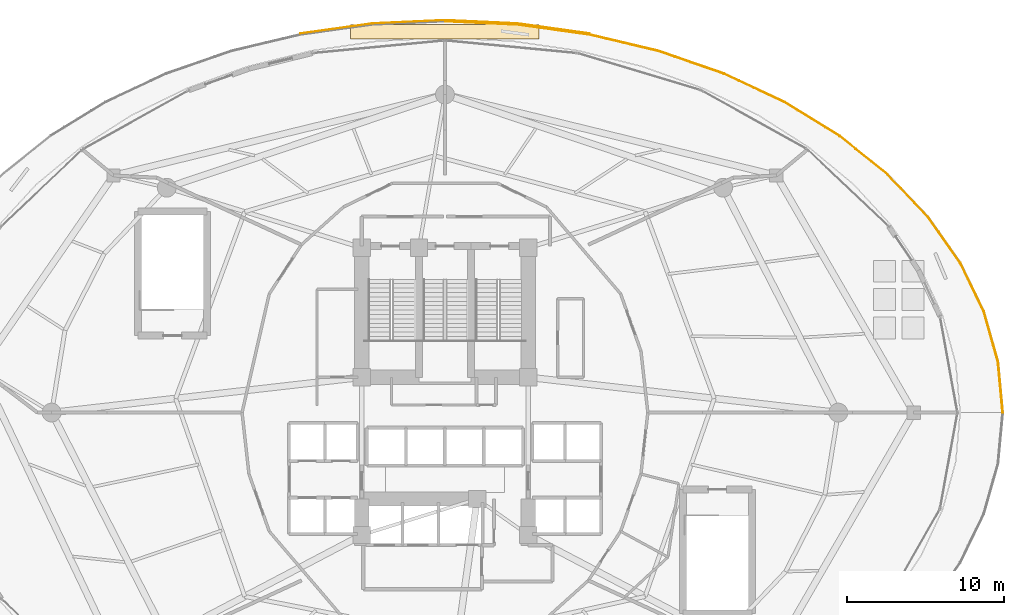
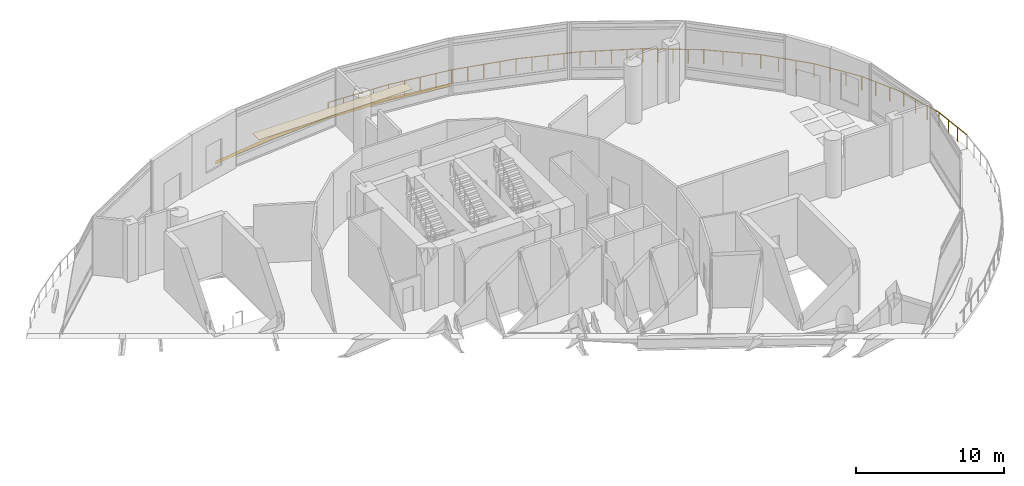
# One storey, part 34 of 34: 2 coverings, 2 railings.
"""IFC4 building model written with IfcOpenShell, lengths in metres."""

from ifc_helpers import new_model, si_unit, direction, frame, origin, place, context, subcontext, project, spatial, polyline, outline, extrude, material, layer, layer_set, type_object, element, save


model = new_model("IFC4")

# Units and contexts
model_context = context("Model", 3, precision=1e-05, world=origin(), true_north=direction((0.0, 1.0)))
body_context = subcontext(model_context, "Body", "Model", "MODEL_VIEW")
ifc_project = project(units=[si_unit("LENGTHUNIT", "METRE"), si_unit("AREAUNIT", "SQUARE_METRE"), si_unit("VOLUMEUNIT", "CUBIC_METRE"), si_unit("PLANEANGLEUNIT", "RADIAN"), si_unit("MASSUNIT", "GRAM", prefix="KILO")], contexts=[model_context])

# Site, building, storey
site_placement = place(None, origin())
site = spatial("IfcSite", under=ifc_project, at=site_placement, CompositionType="ELEMENT")
building_placement = place(site_placement, origin())
building = spatial("IfcBuilding", under=site, at=building_placement, Name="Nuhasar Tower", CompositionType="ELEMENT")
storey_placement = place(building_placement, frame((0.0, 0.0, 16.0)))
storey = spatial("IfcBuildingStorey", under=building, at=storey_placement, Name="L03", CompositionType="ELEMENT", Elevation=16.0)

# Coverings
ifc_material_1 = material(Name="Aluminium 6063-T6", Category="aluminium")
ifc_layer_1 = layer(ifc_material_1, 0.014892578125)
ifc_layer_set_1 = layer_set([ifc_layer_1], Name="Aluminium 6063-T6")
covering_type_1 = type_object("IfcCoveringType", Name="COV-CLD-BRZ15", PredefinedType="CLADDING", material=ifc_layer_set_1)
covering_1_placement = place(storey_placement, frame((0.0, 0.0, -0.280029296875)))
element("IfcCovering", 1, at=covering_1_placement, inside=storey, type_object=covering_type_1, Name="L03 Bustan Terrace Bronze Fascia Cladding North", PredefinedType="CLADDING", context=body_context, shape_type="SweptSolid", body=[
    extrude(outline(polyline([(48.214111328125, 50.947998046875), (43.64697265625, 51.5859375), (39.0, 51.800048828125), (34.35302734375, 51.5859375), (29.785888671875, 50.947998046875), (29.7900390625, 50.93408203125), (34.35498046875, 51.571044921875), (39.0, 51.784912109375), (43.64501953125, 51.571044921875), (48.2099609375, 50.93408203125), (48.214111328125, 50.947998046875)])), origin(), (0.0, 0.0, 1.0), 0.280029296875),
])
ifc_material_2 = material(Name="EPDM Membrane", Category="bitumen")
ifc_layer_2 = layer(ifc_material_2, 0.030029296875)
ifc_layer_set_2 = layer_set([ifc_layer_2], Name="EPDM Membrane")
covering_type_2 = type_object("IfcCoveringType", Name="COV-ROOF-MEM30", PredefinedType="ROOFING", material=ifc_layer_set_2)
covering_2_placement = place(storey_placement, frame((0.0, 0.0, 0.800048828125)))
element("IfcCovering", 2, at=covering_2_placement, inside=storey, type_object=covering_type_2, Name="L03 Waterproofing Roof Membrane Strip 03", PredefinedType="ROOFING", context=body_context, shape_type="SweptSolid", body=[
    extrude(outline(polyline([(33.0, 50.60009765625), (45.0, 50.60009765625), (45.0, 51.5), (33.0, 51.5), (33.0, 50.60009765625)])), origin(), (0.0, 0.0, 1.0), 0.030029296875),
])

# Railings
ifc_material_3 = material(Name="Steel S355", Category="steel")
railing_type = type_object("IfcRailingType", Name="RLG-TERR-1150", PredefinedType="BALUSTRADE", material=ifc_material_3)
railing_1_placement = place(storey_placement, frame((74.52001953125, 26.800048828125, 0.0)))
element("IfcRailing", 3, at=railing_1_placement, inside=storey, type_object=railing_type, Name="L03 Bustan Terrace Perimeter Balustrade 01", PredefinedType="BALUSTRADE", context=body_context, shape_type="SweptSolid", body=[
    extrude(outline(polyline([(0.024169921875, 0.0), (0.01708984375, 0.01708984375), (0.0, 0.024169921875), (-0.01708984375, 0.01708984375), (-0.024169921875, 0.0), (-0.01708984375, -0.01708984375), (0.0, -0.024169921875), (0.01708984375, -0.01708984375), (0.024169921875, 0.0)])), frame((0.0, 0.0, 1.1259765625), z_axis=(-0.093035140952, 0.995662825734, 0.0), x_axis=(-0.995662825734, -0.093035140952, 0.0)), (0.0, 0.0, 1.0), 3.26708984375),
    extrude(outline(polyline([(0.024169921875, 0.0), (0.01708984375, 0.01708984375), (0.0, 0.024169921875), (-0.01708984375, 0.01708984375), (-0.024169921875, 0.0), (-0.01708984375, -0.01708984375), (0.0, -0.024169921875), (0.01708984375, -0.01708984375), (0.024169921875, 0.0)])), frame((-0.303955078125, 3.2529296875, 1.1259765625), z_axis=(-0.272653580986, 0.962112272438, 0.0), x_axis=(-0.962112272438, -0.272653580986, 0.0)), (0.0, 0.0, 1.0), 3.322998046875),
    extrude(outline(polyline([(0.024169921875, 0.0), (0.01708984375, 0.01708984375), (0.0, 0.024169921875), (-0.01708984375, 0.01708984375), (-0.024169921875, 0.0), (-0.01708984375, -0.01708984375), (0.0, -0.024169921875), (0.01708984375, -0.01708984375), (0.024169921875, 0.0)])), frame((-1.2099609375, 6.449951171875, 1.1259765625), z_axis=(-0.435784260795, 0.900051153015, 0.0), x_axis=(-0.900051153015, -0.435784260795, 0.0)), (0.0, 0.0, 1.0), 3.4287109375),
    extrude(outline(polyline([(0.024169921875, 0.0), (0.01708984375, 0.01708984375), (0.0, 0.024169921875), (-0.01708984375, 0.01708984375), (-0.024169921875, 0.0), (-0.01708984375, -0.01708984375), (0.0, -0.024169921875), (0.01708984375, -0.01708984375), (0.024169921875, 0.0)])), frame((-2.7041015625, 9.535888671875, 1.1259765625), z_axis=(-0.574978887045, 0.818168246422, 0.0), x_axis=(-0.818168246422, -0.574978887045, 0.0)), (0.0, 0.0, 1.0), 3.573974609375),
    extrude(outline(polyline([(0.024169921875, 0.0), (0.01708984375, 0.01708984375), (0.0, 0.024169921875), (-0.01708984375, 0.01708984375), (-0.024169921875, 0.0), (-0.01708984375, -0.01708984375), (0.0, -0.024169921875), (0.01708984375, -0.01708984375), (0.024169921875, 0.0)])), frame((-4.759033203125, 12.4599609375, 1.1259765625), z_axis=(-0.689674719684, 0.724119314084, 0.0), x_axis=(-0.724119314084, -0.689674719684, 0.0)), (0.0, 0.0, 1.0), 3.742431640625),
    extrude(outline(polyline([(0.024169921875, 0.0), (0.01708984375, 0.01708984375), (0.0, 0.024169921875), (-0.01708984375, 0.01708984375), (-0.024169921875, 0.0), (-0.01708984375, -0.01708984375), (0.0, -0.024169921875), (0.01708984375, -0.01708984375), (0.024169921875, 0.0)])), frame((-7.340087890625, 15.169921875, 1.1259765625), z_axis=(-0.780911736487, 0.624641384969, 0.0), x_axis=(-0.624641384969, -0.780911736487, 0.0)), (0.0, 0.0, 1.0), 3.8837890625),
    extrude(outline(polyline([(0.02099609375, 0.0), (0.014892578125, 0.014892578125), (0.0, 0.02099609375), (-0.014892578125, 0.014892578125), (-0.02099609375, 0.0), (-0.014892578125, -0.014892578125), (0.0, -0.02099609375), (0.014892578125, -0.014892578125), (0.02099609375, 0.0)])), origin(), (0.0, 0.0, 1.0), 1.101806640625),
    extrude(outline(polyline([(0.02099609375, 0.0), (0.014892578125, 0.014892578125), (0.0, 0.02099609375), (-0.014892578125, 0.014892578125), (-0.02099609375, 0.0), (-0.014892578125, -0.014892578125), (0.0, -0.02099609375), (0.014892578125, -0.014892578125), (0.02099609375, 0.0)])), frame((-0.101318359375, 1.084228515625, 0.0)), (0.0, 0.0, 1.0), 1.101806640625),
    extrude(outline(polyline([(0.02099609375, 0.0), (0.014892578125, 0.014892578125), (0.0, 0.02099609375), (-0.014892578125, 0.014892578125), (-0.02099609375, 0.0), (-0.014892578125, -0.014892578125), (0.0, -0.02099609375), (0.014892578125, -0.014892578125), (0.02099609375, 0.0)])), frame((-0.20263671875, 2.168701171875, 0.0)), (0.0, 0.0, 1.0), 1.101806640625),
    extrude(outline(polyline([(0.02099609375, 0.0), (0.014892578125, 0.014892578125), (0.0, 0.02099609375), (-0.014892578125, 0.014892578125), (-0.02099609375, 0.0), (-0.014892578125, -0.014892578125), (0.0, -0.02099609375), (0.014892578125, -0.014892578125), (0.02099609375, 0.0)])), frame((-0.303955078125, 3.2529296875, 0.0)), (0.0, 0.0, 1.0), 1.101806640625),
    extrude(outline(polyline([(0.02099609375, 0.0), (0.014892578125, 0.014892578125), (0.0, 0.02099609375), (-0.014892578125, 0.014892578125), (-0.02099609375, 0.0), (-0.014892578125, -0.014892578125), (0.0, -0.02099609375), (0.014892578125, -0.014892578125), (0.02099609375, 0.0)])), frame((-0.60595703125, 4.318603515625, 0.0)), (0.0, 0.0, 1.0), 1.101806640625),
    extrude(outline(polyline([(0.02099609375, 0.0), (0.014892578125, 0.014892578125), (0.0, 0.02099609375), (-0.014892578125, 0.014892578125), (-0.02099609375, 0.0), (-0.014892578125, -0.014892578125), (0.0, -0.02099609375), (0.014892578125, -0.014892578125), (0.02099609375, 0.0)])), frame((-0.907958984375, 5.38427734375, 0.0)), (0.0, 0.0, 1.0), 1.101806640625),
    extrude(outline(polyline([(0.02099609375, 0.0), (0.014892578125, 0.014892578125), (0.0, 0.02099609375), (-0.014892578125, 0.014892578125), (-0.02099609375, 0.0), (-0.014892578125, -0.014892578125), (0.0, -0.02099609375), (0.014892578125, -0.014892578125), (0.02099609375, 0.0)])), frame((-1.2099609375, 6.449951171875, 0.0)), (0.0, 0.0, 1.0), 1.101806640625),
    extrude(outline(polyline([(0.02099609375, 0.0), (0.014892578125, 0.014892578125), (0.0, 0.02099609375), (-0.014892578125, 0.014892578125), (-0.02099609375, 0.0), (-0.014892578125, -0.014892578125), (0.0, -0.02099609375), (0.014892578125, -0.014892578125), (0.02099609375, 0.0)])), frame((-1.7080078125, 7.478515625, 0.0)), (0.0, 0.0, 1.0), 1.101806640625),
    extrude(outline(polyline([(0.02099609375, 0.0), (0.014892578125, 0.014892578125), (0.0, 0.02099609375), (-0.014892578125, 0.014892578125), (-0.02099609375, 0.0), (-0.014892578125, -0.014892578125), (0.0, -0.02099609375), (0.014892578125, -0.014892578125), (0.02099609375, 0.0)])), frame((-2.2060546875, 8.50732421875, 0.0)), (0.0, 0.0, 1.0), 1.101806640625),
    extrude(outline(polyline([(0.02099609375, 0.0), (0.014892578125, 0.014892578125), (0.0, 0.02099609375), (-0.014892578125, 0.014892578125), (-0.02099609375, 0.0), (-0.014892578125, -0.014892578125), (0.0, -0.02099609375), (0.014892578125, -0.014892578125), (0.02099609375, 0.0)])), frame((-2.7041015625, 9.535888671875, 0.0)), (0.0, 0.0, 1.0), 1.101806640625),
    extrude(outline(polyline([(0.02099609375, 0.0), (0.014892578125, 0.014892578125), (0.0, 0.02099609375), (-0.014892578125, 0.014892578125), (-0.02099609375, 0.0), (-0.014892578125, -0.014892578125), (0.0, -0.02099609375), (0.014892578125, -0.014892578125), (0.02099609375, 0.0)])), frame((-3.38916015625, 10.510498046875, 0.0)), (0.0, 0.0, 1.0), 1.101806640625),
    extrude(outline(polyline([(0.02099609375, 0.0), (0.014892578125, 0.014892578125), (0.0, 0.02099609375), (-0.014892578125, 0.014892578125), (-0.02099609375, 0.0), (-0.014892578125, -0.014892578125), (0.0, -0.02099609375), (0.014892578125, -0.014892578125), (0.02099609375, 0.0)])), frame((-4.073974609375, 11.4853515625, 0.0)), (0.0, 0.0, 1.0), 1.101806640625),
    extrude(outline(polyline([(0.02099609375, 0.0), (0.014892578125, 0.014892578125), (0.0, 0.02099609375), (-0.014892578125, 0.014892578125), (-0.02099609375, 0.0), (-0.014892578125, -0.014892578125), (0.0, -0.02099609375), (0.014892578125, -0.014892578125), (0.02099609375, 0.0)])), frame((-4.759033203125, 12.4599609375, 0.0)), (0.0, 0.0, 1.0), 1.101806640625),
    extrude(outline(polyline([(0.02099609375, 0.0), (0.014892578125, 0.014892578125), (0.0, 0.02099609375), (-0.014892578125, 0.014892578125), (-0.02099609375, 0.0), (-0.014892578125, -0.014892578125), (0.0, -0.02099609375), (0.014892578125, -0.014892578125), (0.02099609375, 0.0)])), frame((-5.619384765625, 13.36328125, 0.0)), (0.0, 0.0, 1.0), 1.101806640625),
    extrude(outline(polyline([(0.02099609375, 0.0), (0.014892578125, 0.014892578125), (0.0, 0.02099609375), (-0.014892578125, 0.014892578125), (-0.02099609375, 0.0), (-0.014892578125, -0.014892578125), (0.0, -0.02099609375), (0.014892578125, -0.014892578125), (0.02099609375, 0.0)])), frame((-6.479736328125, 14.2666015625, 0.0)), (0.0, 0.0, 1.0), 1.101806640625),
    extrude(outline(polyline([(0.02099609375, 0.0), (0.014892578125, 0.014892578125), (0.0, 0.02099609375), (-0.014892578125, 0.014892578125), (-0.02099609375, 0.0), (-0.014892578125, -0.014892578125), (0.0, -0.02099609375), (0.014892578125, -0.014892578125), (0.02099609375, 0.0)])), frame((-7.340087890625, 15.169921875, 0.0)), (0.0, 0.0, 1.0), 1.101806640625),
    extrude(outline(polyline([(0.02099609375, 0.0), (0.014892578125, 0.014892578125), (0.0, 0.02099609375), (-0.014892578125, 0.014892578125), (-0.02099609375, 0.0), (-0.014892578125, -0.014892578125), (0.0, -0.02099609375), (0.014892578125, -0.014892578125), (0.02099609375, 0.0)])), frame((-8.35107421875, 15.978515625, 0.0)), (0.0, 0.0, 1.0), 1.101806640625),
    extrude(outline(polyline([(0.02099609375, 0.0), (0.014892578125, 0.014892578125), (0.0, 0.02099609375), (-0.014892578125, 0.014892578125), (-0.02099609375, 0.0), (-0.014892578125, -0.014892578125), (0.0, -0.02099609375), (0.014892578125, -0.014892578125), (0.02099609375, 0.0)])), frame((-9.362060546875, 16.787353515625, 0.0)), (0.0, 0.0, 1.0), 1.101806640625),
    extrude(outline(polyline([(0.02099609375, 0.0), (0.014892578125, 0.014892578125), (0.0, 0.02099609375), (-0.014892578125, 0.014892578125), (-0.02099609375, 0.0), (-0.014892578125, -0.014892578125), (0.0, -0.02099609375), (0.014892578125, -0.014892578125), (0.02099609375, 0.0)])), frame((-10.373046875, 17.595947265625, 0.0)), (0.0, 0.0, 1.0), 1.101806640625),
])
railing_2_placement = place(storey_placement, frame((64.115966796875, 44.4208984375, 0.0)))
element("IfcRailing", 4, at=railing_2_placement, inside=storey, type_object=railing_type, Name="L03 Bustan Terrace Perimeter Balustrade 02", PredefinedType="BALUSTRADE", context=body_context, shape_type="SweptSolid", body=[
    extrude(outline(polyline([(0.024169921875, 0.0), (0.01708984375, 0.01708984375), (0.0, 0.024169921875), (-0.01708984375, 0.01708984375), (-0.024169921875, 0.0), (-0.01708984375, -0.01708984375), (0.0, -0.024169921875), (0.01708984375, -0.01708984375), (0.024169921875, 0.0)])), frame((0.0, 0.0, 1.1259765625), z_axis=(-0.851693061849, 0.524040960611, 0.0), x_axis=(-0.524040960611, -0.851693061849, 0.0)), (0.0, 0.0, 1.0), 4.10107421875),
    extrude(outline(polyline([(0.024169921875, 0.0), (0.01708984375, 0.01708984375), (0.0, 0.024169921875), (-0.01708984375, 0.01708984375), (-0.024169921875, 0.0), (-0.01708984375, -0.01708984375), (0.0, -0.024169921875), (0.01708984375, -0.01708984375), (0.024169921875, 0.0)])), frame((-3.492919921875, 2.149169921875, 1.1259765625), z_axis=(-0.905437630864, 0.424479324132, 0.0), x_axis=(-0.424479324132, -0.905437630864, 0.0)), (0.0, 0.0, 1.0), 4.2666015625),
    extrude(outline(polyline([(0.024169921875, 0.0), (0.01708984375, 0.01708984375), (0.0, 0.024169921875), (-0.01708984375, 0.01708984375), (-0.024169921875, 0.0), (-0.01708984375, -0.01708984375), (0.0, -0.024169921875), (0.01708984375, -0.01708984375), (0.024169921875, 0.0)])), frame((-7.35595703125, 3.960205078125, 1.1259765625), z_axis=(-0.945022930753, 0.327004067789, 0.0), x_axis=(-0.327004067789, -0.945022930753, 0.0)), (0.0, 0.0, 1.0), 4.409423828125),
    extrude(outline(polyline([(0.024169921875, 0.0), (0.01708984375, 0.01708984375), (0.0, 0.024169921875), (-0.01708984375, 0.01708984375), (-0.024169921875, 0.0), (-0.01708984375, -0.01708984375), (0.0, -0.024169921875), (0.01708984375, -0.01708984375), (0.024169921875, 0.0)])), frame((-11.52294921875, 5.402099609375, 1.1259765625), z_axis=(-0.972781305311, 0.231725121723, 0.0), x_axis=(-0.231725121723, -0.972781305311, 0.0)), (0.0, 0.0, 1.0), 4.52294921875),
    extrude(outline(polyline([(0.024169921875, 0.0), (0.01708984375, 0.01708984375), (0.0, 0.024169921875), (-0.01708984375, 0.01708984375), (-0.024169921875, 0.0), (-0.01708984375, -0.01708984375), (0.0, -0.024169921875), (0.01708984375, -0.01708984375), (0.024169921875, 0.0)])), frame((-15.9228515625, 6.4501953125, 1.1259765625), z_axis=(-0.990401686218, 0.138219028854, 0.0), x_axis=(-0.138219028854, -0.990401686218, 0.0)), (0.0, 0.0, 1.0), 4.601318359375),
    extrude(outline(polyline([(0.024169921875, 0.0), (0.01708984375, 0.01708984375), (0.0, 0.024169921875), (-0.01708984375, 0.01708984375), (-0.024169921875, 0.0), (-0.01708984375, -0.01708984375), (0.0, -0.024169921875), (0.01708984375, -0.01708984375), (0.024169921875, 0.0)])), frame((-20.47998046875, 7.086181640625, 1.1259765625), z_axis=(-0.998948420633, 0.04584815062, 0.0), x_axis=(-0.04584815062, -0.998948420633, 0.0)), (0.0, 0.0, 1.0), 4.600830078125),
    extrude(outline(polyline([(0.02099609375, 0.0), (0.014892578125, 0.014892578125), (0.0, 0.02099609375), (-0.014892578125, 0.014892578125), (-0.02099609375, 0.0), (-0.014892578125, -0.014892578125), (0.0, -0.02099609375), (0.014892578125, -0.014892578125), (0.02099609375, 0.0)])), origin(), (0.0, 0.0, 1.0), 1.101806640625),
    extrude(outline(polyline([(0.02099609375, 0.0), (0.014892578125, 0.014892578125), (0.0, 0.02099609375), (-0.014892578125, 0.014892578125), (-0.02099609375, 0.0), (-0.014892578125, -0.014892578125), (0.0, -0.02099609375), (0.014892578125, -0.014892578125), (0.02099609375, 0.0)])), frame((-0.873291015625, 0.537353515625, 0.0)), (0.0, 0.0, 1.0), 1.101806640625),
    extrude(outline(polyline([(0.02099609375, 0.0), (0.014892578125, 0.014892578125), (0.0, 0.02099609375), (-0.014892578125, 0.014892578125), (-0.02099609375, 0.0), (-0.014892578125, -0.014892578125), (0.0, -0.02099609375), (0.014892578125, -0.014892578125), (0.02099609375, 0.0)])), frame((-1.74658203125, 1.07470703125, 0.0)), (0.0, 0.0, 1.0), 1.101806640625),
    extrude(outline(polyline([(0.02099609375, 0.0), (0.014892578125, 0.014892578125), (0.0, 0.02099609375), (-0.014892578125, 0.014892578125), (-0.02099609375, 0.0), (-0.014892578125, -0.014892578125), (0.0, -0.02099609375), (0.014892578125, -0.014892578125), (0.02099609375, 0.0)])), frame((-2.61962890625, 1.61181640625, 0.0)), (0.0, 0.0, 1.0), 1.101806640625),
    extrude(outline(polyline([(0.02099609375, 0.0), (0.014892578125, 0.014892578125), (0.0, 0.02099609375), (-0.014892578125, 0.014892578125), (-0.02099609375, 0.0), (-0.014892578125, -0.014892578125), (0.0, -0.02099609375), (0.014892578125, -0.014892578125), (0.02099609375, 0.0)])), frame((-3.492919921875, 2.149169921875, 0.0)), (0.0, 0.0, 1.0), 1.101806640625),
    extrude(outline(polyline([(0.02099609375, 0.0), (0.014892578125, 0.014892578125), (0.0, 0.02099609375), (-0.014892578125, 0.014892578125), (-0.02099609375, 0.0), (-0.014892578125, -0.014892578125), (0.0, -0.02099609375), (0.014892578125, -0.014892578125), (0.02099609375, 0.0)])), frame((-4.458740234375, 2.60205078125, 0.0)), (0.0, 0.0, 1.0), 1.101806640625),
    extrude(outline(polyline([(0.02099609375, 0.0), (0.014892578125, 0.014892578125), (0.0, 0.02099609375), (-0.014892578125, 0.014892578125), (-0.02099609375, 0.0), (-0.014892578125, -0.014892578125), (0.0, -0.02099609375), (0.014892578125, -0.014892578125), (0.02099609375, 0.0)])), frame((-5.42431640625, 3.0546875, 0.0)), (0.0, 0.0, 1.0), 1.101806640625),
    extrude(outline(polyline([(0.02099609375, 0.0), (0.014892578125, 0.014892578125), (0.0, 0.02099609375), (-0.014892578125, 0.014892578125), (-0.02099609375, 0.0), (-0.014892578125, -0.014892578125), (0.0, -0.02099609375), (0.014892578125, -0.014892578125), (0.02099609375, 0.0)])), frame((-6.39013671875, 3.50732421875, 0.0)), (0.0, 0.0, 1.0), 1.101806640625),
    extrude(outline(polyline([(0.02099609375, 0.0), (0.014892578125, 0.014892578125), (0.0, 0.02099609375), (-0.014892578125, 0.014892578125), (-0.02099609375, 0.0), (-0.014892578125, -0.014892578125), (0.0, -0.02099609375), (0.014892578125, -0.014892578125), (0.02099609375, 0.0)])), frame((-7.35595703125, 3.960205078125, 0.0)), (0.0, 0.0, 1.0), 1.101806640625),
    extrude(outline(polyline([(0.02099609375, 0.0), (0.014892578125, 0.014892578125), (0.0, 0.02099609375), (-0.014892578125, 0.014892578125), (-0.02099609375, 0.0), (-0.014892578125, -0.014892578125), (0.0, -0.02099609375), (0.014892578125, -0.014892578125), (0.02099609375, 0.0)])), frame((-8.397705078125, 4.32080078125, 0.0)), (0.0, 0.0, 1.0), 1.101806640625),
    extrude(outline(polyline([(0.02099609375, 0.0), (0.014892578125, 0.014892578125), (0.0, 0.02099609375), (-0.014892578125, 0.014892578125), (-0.02099609375, 0.0), (-0.014892578125, -0.014892578125), (0.0, -0.02099609375), (0.014892578125, -0.014892578125), (0.02099609375, 0.0)])), frame((-9.439453125, 4.68115234375, 0.0)), (0.0, 0.0, 1.0), 1.101806640625),
    extrude(outline(polyline([(0.02099609375, 0.0), (0.014892578125, 0.014892578125), (0.0, 0.02099609375), (-0.014892578125, 0.014892578125), (-0.02099609375, 0.0), (-0.014892578125, -0.014892578125), (0.0, -0.02099609375), (0.014892578125, -0.014892578125), (0.02099609375, 0.0)])), frame((-10.481201171875, 5.04150390625, 0.0)), (0.0, 0.0, 1.0), 1.101806640625),
    extrude(outline(polyline([(0.02099609375, 0.0), (0.014892578125, 0.014892578125), (0.0, 0.02099609375), (-0.014892578125, 0.014892578125), (-0.02099609375, 0.0), (-0.014892578125, -0.014892578125), (0.0, -0.02099609375), (0.014892578125, -0.014892578125), (0.02099609375, 0.0)])), frame((-11.52294921875, 5.402099609375, 0.0)), (0.0, 0.0, 1.0), 1.101806640625),
    extrude(outline(polyline([(0.02099609375, 0.0), (0.014892578125, 0.014892578125), (0.0, 0.02099609375), (-0.014892578125, 0.014892578125), (-0.02099609375, 0.0), (-0.014892578125, -0.014892578125), (0.0, -0.02099609375), (0.014892578125, -0.014892578125), (0.02099609375, 0.0)])), frame((-12.623046875, 5.6640625, 0.0)), (0.0, 0.0, 1.0), 1.101806640625),
    extrude(outline(polyline([(0.02099609375, 0.0), (0.014892578125, 0.014892578125), (0.0, 0.02099609375), (-0.014892578125, 0.014892578125), (-0.02099609375, 0.0), (-0.014892578125, -0.014892578125), (0.0, -0.02099609375), (0.014892578125, -0.014892578125), (0.02099609375, 0.0)])), frame((-13.722900390625, 5.92626953125, 0.0)), (0.0, 0.0, 1.0), 1.101806640625),
    extrude(outline(polyline([(0.02099609375, 0.0), (0.014892578125, 0.014892578125), (0.0, 0.02099609375), (-0.014892578125, 0.014892578125), (-0.02099609375, 0.0), (-0.014892578125, -0.014892578125), (0.0, -0.02099609375), (0.014892578125, -0.014892578125), (0.02099609375, 0.0)])), frame((-14.82275390625, 6.188232421875, 0.0)), (0.0, 0.0, 1.0), 1.101806640625),
    extrude(outline(polyline([(0.02099609375, 0.0), (0.014892578125, 0.014892578125), (0.0, 0.02099609375), (-0.014892578125, 0.014892578125), (-0.02099609375, 0.0), (-0.014892578125, -0.014892578125), (0.0, -0.02099609375), (0.014892578125, -0.014892578125), (0.02099609375, 0.0)])), frame((-15.9228515625, 6.4501953125, 0.0)), (0.0, 0.0, 1.0), 1.101806640625),
    extrude(outline(polyline([(0.02099609375, 0.0), (0.014892578125, 0.014892578125), (0.0, 0.02099609375), (-0.014892578125, 0.014892578125), (-0.02099609375, 0.0), (-0.014892578125, -0.014892578125), (0.0, -0.02099609375), (0.014892578125, -0.014892578125), (0.02099609375, 0.0)])), frame((-17.06201171875, 6.609130859375, 0.0)), (0.0, 0.0, 1.0), 1.101806640625),
    extrude(outline(polyline([(0.02099609375, 0.0), (0.014892578125, 0.014892578125), (0.0, 0.02099609375), (-0.014892578125, 0.014892578125), (-0.02099609375, 0.0), (-0.014892578125, -0.014892578125), (0.0, -0.02099609375), (0.014892578125, -0.014892578125), (0.02099609375, 0.0)])), frame((-18.201416015625, 6.76806640625, 0.0)), (0.0, 0.0, 1.0), 1.101806640625),
    extrude(outline(polyline([(0.02099609375, 0.0), (0.014892578125, 0.014892578125), (0.0, 0.02099609375), (-0.014892578125, 0.014892578125), (-0.02099609375, 0.0), (-0.014892578125, -0.014892578125), (0.0, -0.02099609375), (0.014892578125, -0.014892578125), (0.02099609375, 0.0)])), frame((-19.3408203125, 6.92724609375, 0.0)), (0.0, 0.0, 1.0), 1.101806640625),
    extrude(outline(polyline([(0.02099609375, 0.0), (0.014892578125, 0.014892578125), (0.0, 0.02099609375), (-0.014892578125, 0.014892578125), (-0.02099609375, 0.0), (-0.014892578125, -0.014892578125), (0.0, -0.02099609375), (0.014892578125, -0.014892578125), (0.02099609375, 0.0)])), frame((-20.47998046875, 7.086181640625, 0.0)), (0.0, 0.0, 1.0), 1.101806640625),
    extrude(outline(polyline([(0.02099609375, 0.0), (0.014892578125, 0.014892578125), (0.0, 0.02099609375), (-0.014892578125, 0.014892578125), (-0.02099609375, 0.0), (-0.014892578125, -0.014892578125), (0.0, -0.02099609375), (0.014892578125, -0.014892578125), (0.02099609375, 0.0)])), frame((-21.62890625, 7.138916015625, 0.0)), (0.0, 0.0, 1.0), 1.101806640625),
    extrude(outline(polyline([(0.02099609375, 0.0), (0.014892578125, 0.014892578125), (0.0, 0.02099609375), (-0.014892578125, 0.014892578125), (-0.02099609375, 0.0), (-0.014892578125, -0.014892578125), (0.0, -0.02099609375), (0.014892578125, -0.014892578125), (0.02099609375, 0.0)])), frame((-22.77783203125, 7.191650390625, 0.0)), (0.0, 0.0, 1.0), 1.101806640625),
    extrude(outline(polyline([(0.02099609375, 0.0), (0.014892578125, 0.014892578125), (0.0, 0.02099609375), (-0.014892578125, 0.014892578125), (-0.02099609375, 0.0), (-0.014892578125, -0.014892578125), (0.0, -0.02099609375), (0.014892578125, -0.014892578125), (0.02099609375, 0.0)])), frame((-23.927001953125, 7.244384765625, 0.0)), (0.0, 0.0, 1.0), 1.101806640625),
    extrude(outline(polyline([(0.02099609375, 0.0), (0.014892578125, 0.014892578125), (0.0, 0.02099609375), (-0.014892578125, 0.014892578125), (-0.02099609375, 0.0), (-0.014892578125, -0.014892578125), (0.0, -0.02099609375), (0.014892578125, -0.014892578125), (0.02099609375, 0.0)])), frame((-25.075927734375, 7.297119140625, 0.0)), (0.0, 0.0, 1.0), 1.101806640625),
])

save(model, "model.ifc")
